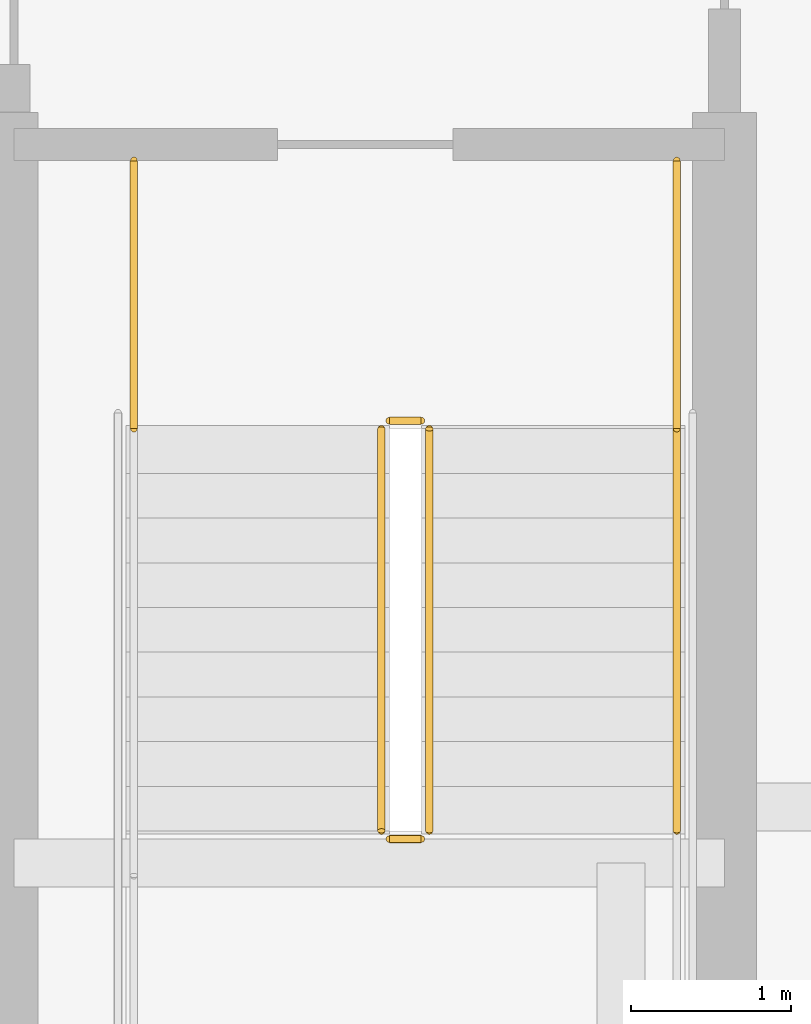
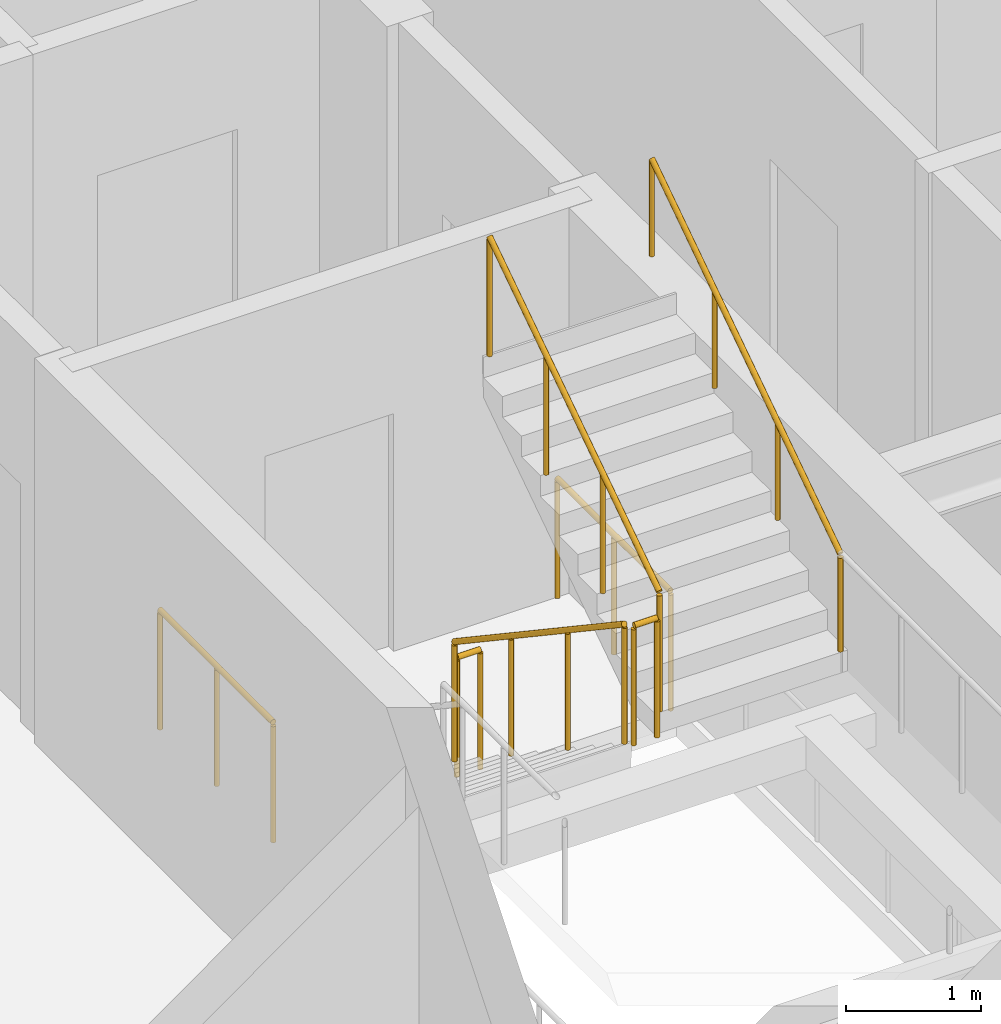
# One storey, part 36 of 37: 7 railings.
"""IFC4 building model written with IfcOpenShell, lengths in metres."""

from ifc_helpers import new_model, si_unit, direction, frame, origin, origin_2d, place, context, subcontext, project, spatial, circle, extrude, material, type_object, element, save


model = new_model("IFC4")

# Units and contexts
model_context = context("Model", 3, precision=1e-05, world=origin(), true_north=direction((0.0, 1.0)))
body_context = subcontext(model_context, "Body", "Model", "MODEL_VIEW")
ifc_project = project(units=[si_unit("LENGTHUNIT", "METRE"), si_unit("AREAUNIT", "SQUARE_METRE"), si_unit("VOLUMEUNIT", "CUBIC_METRE"), si_unit("PLANEANGLEUNIT", "RADIAN"), si_unit("MASSUNIT", "GRAM", prefix="KILO")], contexts=[model_context])

# Site, building, storey
site_placement = place(None, origin())
site = spatial("IfcSite", under=ifc_project, at=site_placement, CompositionType="ELEMENT")
building_placement = place(site_placement, origin())
building = spatial("IfcBuilding", under=site, at=building_placement, Name="Serunith Strait Residences", CompositionType="ELEMENT")
storey_placement = place(building_placement, frame((0.0, 0.0, 127.64990234375)))
storey = spatial("IfcBuildingStorey", under=building, at=storey_placement, Name="L31", CompositionType="ELEMENT", Elevation=127.64990234375)

# Railings
ifc_material = material(Name="Brushed stainless steel 316L", Category="steel")
railing_type_1 = type_object("IfcRailingType", Name="RLG-STAIR-GUARD", PredefinedType="BALUSTRADE", material=ifc_material)
railing_1_placement = place(storey_placement, frame((39.25, 23.3701171875, 0.1875)))
element("IfcRailing", 1, at=railing_1_placement, inside=storey, type_object=railing_type_1, Name="L31 ST-2 stair guard 1", PredefinedType="BALUSTRADE", context=body_context, shape_type="SweptSolid", body=[
    extrude(circle(Radius=0.02392578125, at=origin_2d()), frame((0.0, -0.001708984375, 1.0771484375), z_axis=(0.0, -0.830909170722, 0.55640807867), x_axis=(1.0, 0.0, 0.0)), (0.0, 0.0, 1.0), 3.02880859375),
    extrude(circle(Radius=0.02099609375, at=origin_2d()), origin(), (0.0, 0.0, 1.0), 1.050048828125),
    extrude(circle(Radius=0.02099609375, at=origin_2d()), frame((0.0, -0.840087890625, 0.5625)), (0.0, 0.0, 1.0), 1.050048828125),
    extrude(circle(Radius=0.02099609375, at=origin_2d()), frame((0.0, -1.679931640625, 1.125)), (0.0, 0.0, 1.0), 1.050048828125),
    extrude(circle(Radius=0.02099609375, at=origin_2d()), frame((0.0, -2.52001953125, 1.6875)), (0.0, 0.0, 1.0), 1.050048828125),
])
railing_2_placement = place(storey_placement, frame((39.300048828125, 20.800048828125, 1.875)))
element("IfcRailing", 2, at=railing_2_placement, inside=storey, type_object=railing_type_1, Name="L31 ST-2 stair guard 2", PredefinedType="BALUSTRADE", context=body_context, shape_type="SweptSolid", body=[
    extrude(circle(Radius=0.02392578125, at=origin_2d()), frame((0.001953125, 0.0, 1.076171875), z_axis=(1.0, 0.0, 0.0), x_axis=(0.0, 1.0, 0.0)), (0.0, 0.0, 1.0), 0.196044921875),
    extrude(circle(Radius=0.02099609375, at=origin_2d()), origin(), (0.0, 0.0, 1.0), 1.050048828125),
    extrude(circle(Radius=0.02099609375, at=origin_2d()), frame((0.199951171875, 0.0, 0.0)), (0.0, 0.0, 1.0), 1.050048828125),
])
railing_3_placement = place(storey_placement, frame((39.550048828125, 20.85009765625, 2.0625)))
element("IfcRailing", 3, at=railing_3_placement, inside=storey, type_object=railing_type_1, Name="L31 ST-2 stair guard 6", PredefinedType="BALUSTRADE", context=body_context, shape_type="SweptSolid", body=[
    extrude(circle(Radius=0.02392578125, at=origin_2d()), frame((0.0, 0.001708984375, 1.0771484375), z_axis=(0.0, 0.830909170722, 0.55640807867), x_axis=(-1.0, 0.0, 0.0)), (0.0, 0.0, 1.0), 3.02880859375),
    extrude(circle(Radius=0.02099609375, at=origin_2d()), origin(), (0.0, 0.0, 1.0), 1.050048828125),
    extrude(circle(Radius=0.02099609375, at=origin_2d()), frame((0.0, 0.840087890625, 0.5625)), (0.0, 0.0, 1.0), 1.050048828125),
    extrude(circle(Radius=0.02099609375, at=origin_2d()), frame((0.0, 1.679931640625, 1.125)), (0.0, 0.0, 1.0), 1.050048828125),
    extrude(circle(Radius=0.02099609375, at=origin_2d()), frame((0.0, 2.52001953125, 1.6875)), (0.0, 0.0, 1.0), 1.050048828125),
])
railing_4_placement = place(storey_placement, frame((39.300048828125, 23.419921875, 0.0)))
element("IfcRailing", 4, at=railing_4_placement, inside=storey, type_object=railing_type_1, Name="L31 ST-2 stair guard 7", PredefinedType="BALUSTRADE", context=body_context, shape_type="SweptSolid", body=[
    extrude(circle(Radius=0.02392578125, at=origin_2d()), frame((0.001953125, 0.0, 1.076171875), z_axis=(1.0, 0.0, 0.0), x_axis=(0.0, 1.0, 0.0)), (0.0, 0.0, 1.0), 0.196044921875),
    extrude(circle(Radius=0.02099609375, at=origin_2d()), origin(), (0.0, 0.0, 1.0), 1.050048828125),
    extrude(circle(Radius=0.02099609375, at=origin_2d()), frame((0.199951171875, 0.0, 0.0)), (0.0, 0.0, 1.0), 1.050048828125),
])
for number, where, name in (
    (5, (37.699951171875, 25.050048828125, 0.0), "L31 ST-2 stair guard 8"),
    (6, (41.10009765625, 25.050048828125, 0.0), "L31 ST-2 stair guard 9"),
):
    element("IfcRailing", number, at=place(storey_placement, frame(where)), inside=storey, type_object=railing_type_1, Name=name, PredefinedType="BALUSTRADE", context=body_context, shape_type="SweptSolid", body=[
        extrude(circle(Radius=0.02392578125, at=origin_2d()), frame((0.0, -0.001953125, 1.076171875), z_axis=(0.0, -1.0, 0.0), x_axis=(1.0, 0.0, 0.0)), (0.0, 0.0, 1.0), 1.676025390625),
        extrude(circle(Radius=0.02099609375, at=origin_2d()), origin(), (0.0, 0.0, 1.0), 1.050048828125),
        extrude(circle(Radius=0.02099609375, at=origin_2d()), frame((0.0, -0.83984375, 0.0)), (0.0, 0.0, 1.0), 1.050048828125),
        extrude(circle(Radius=0.02099609375, at=origin_2d()), frame((0.0, -1.679931640625, 0.0)), (0.0, 0.0, 1.0), 1.050048828125),
    ])
railing_type_2 = type_object("IfcRailingType", Name="RLG-STAIR-HR", PredefinedType="HANDRAIL", material=ifc_material)
railing_5_placement = place(storey_placement, frame((41.10009765625, 20.85009765625, 2.0625)))
element("IfcRailing", 7, at=railing_5_placement, inside=storey, type_object=railing_type_2, Name="L31 ST-2 stair handrail 2", PredefinedType="HANDRAIL", context=body_context, shape_type="SweptSolid", body=[
    extrude(circle(Radius=0.02392578125, at=origin_2d()), frame((0.0, 0.001708984375, 0.876953125), z_axis=(0.0, 0.830185712471, 0.557486935101), x_axis=(-1.0, 0.0, 0.0)), (0.0, 0.0, 1.0), 3.368408203125),
    extrude(circle(Radius=0.02099609375, at=origin_2d()), origin(), (0.0, 0.0, 1.0), 0.849853515625),
    extrude(circle(Radius=0.02099609375, at=origin_2d()), frame((0.0, 0.933349609375, 0.626708984375)), (0.0, 0.0, 1.0), 0.849853515625),
    extrude(circle(Radius=0.02099609375, at=origin_2d()), frame((0.0, 1.866455078125, 1.25341796875)), (0.0, 0.0, 1.0), 0.849853515625),
    extrude(circle(Radius=0.02099609375, at=origin_2d()), frame((0.0, 2.7998046875, 1.880126953125)), (0.0, 0.0, 1.0), 0.849853515625),
])

save(model, "model.ifc")
